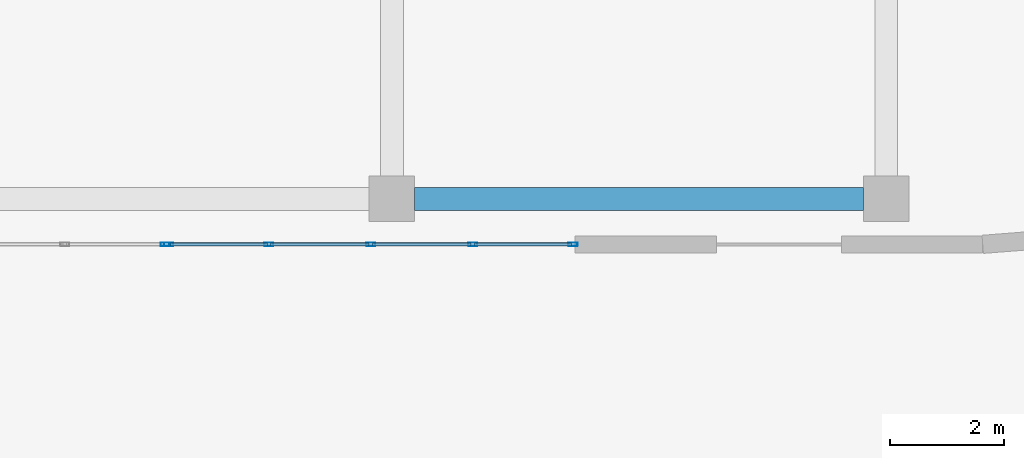
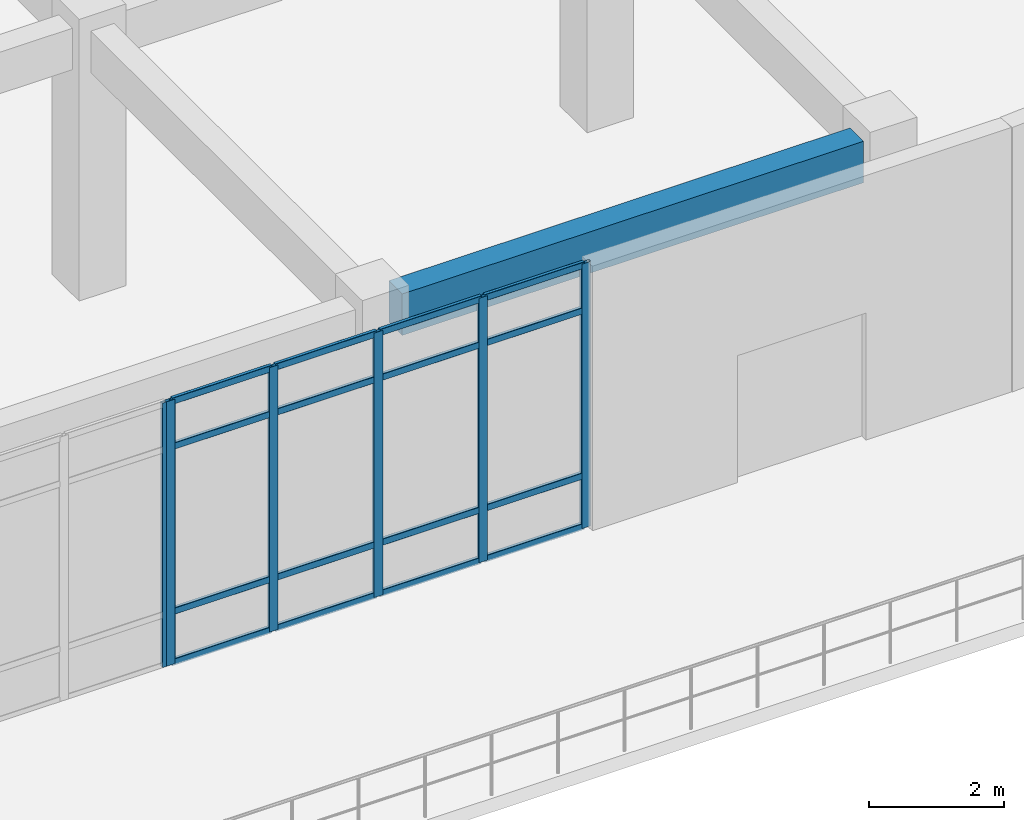
# One storey, part 16 of 96: 22 members, 1 beam, 2 elements without a shape of their own.
"""IFC4 building model written with IfcOpenShell, lengths in metres."""

from ifc_helpers import new_model, si_unit, derived_unit, direction, frame, origin, origin_2d, place, context, subcontext, project, spatial, rectangle, hollow_rectangle, extrude, material, layer, layer_set, material_profile, profile_set, type_object, element, aggregate, save


model = new_model("IFC4")

# Units and contexts
model_context = context("Model", 3, precision=1e-05, world=origin(), true_north=direction((0.0, 1.0)))
body_context = subcontext(model_context, "Body", "Model", "MODEL_VIEW")
ifc_project = project(units=[si_unit("LENGTHUNIT", "METRE"), si_unit("AREAUNIT", "SQUARE_METRE"), si_unit("VOLUMEUNIT", "CUBIC_METRE"), si_unit("PLANEANGLEUNIT", "RADIAN"), si_unit("MASSUNIT", "GRAM", prefix="KILO"), derived_unit("THERMALTRANSMITTANCEUNIT", [(si_unit("MASSUNIT", "GRAM", prefix="KILO"), 1), (si_unit("TIMEUNIT", "SECOND"), -3), (si_unit("THERMODYNAMICTEMPERATUREUNIT", "KELVIN"), -1)])], contexts=[model_context])

# Site, building, storey
site_placement = place(None, origin())
site = spatial("IfcSite", under=ifc_project, at=site_placement, CompositionType="ELEMENT")
building_placement = place(site_placement, origin())
building = spatial("IfcBuilding", under=site, at=building_placement, Name="Qinzheling Arcade Emporium", CompositionType="ELEMENT")
storey_placement = place(building_placement, frame((0.0, 0.0, 21.60009765625)))
storey = spatial("IfcBuildingStorey", under=building, at=storey_placement, Name="L05", CompositionType="ELEMENT", Elevation=21.60009765625)

# Curtain wall, members
ifc_material_1 = material(Name="Anodised aluminium and solar-control double glazing", Category="aluminium")
ifc_layer = layer(ifc_material_1, 0.159912109375, Name="Anodised aluminium and solar-control double glazing", Category="aluminium")
ifc_layer_set = layer_set([ifc_layer], Name="Anodised aluminium and solar-control double glazing")
curtain_wall_type = type_object("IfcCurtainWallType", Name="Arcade Portal Glazed Curtain Wall", PredefinedType="NOTDEFINED", material=ifc_layer_set)
curtain_wall_1_placement = place(storey_placement, origin())
curtain_wall_1 = element("IfcCurtainWall", 1, at=curtain_wall_1_placement, inside=storey, type_object=curtain_wall_type, Name="Curtain Wall CW-L05-298", PredefinedType="NOTDEFINED")
ifc_material_2 = material(Name="Anodised aluminium 6063-T6", Category="aluminium")
ifc_material_profile_1 = material_profile(ifc_material_2, hollow_rectangle(XDim=0.06005859375, YDim=0.159912109375, WallThickness=0.00390625, InnerFilletRadius=0.00390625, OuterFilletRadius=0.008056640625, at=origin_2d()), Name="RHS 160x60x4", Category="aluminium")
ifc_profile_set_1 = profile_set([ifc_material_profile_1], Name="Anodised aluminium 6063-T6")
member_type_1 = type_object("IfcMemberType", Name="Curtain Wall Mullion RHS160x60", PredefinedType="MULLION", material=ifc_profile_set_1)
member_1_placement = place(storey_placement, frame((55.387939453125, 7.60009765625, 0.0), z_axis=(0.0, 0.0, 1.0), x_axis=(0.0, -1.0, 0.0)))
member_1 = element("IfcMember", 2, at=member_1_placement, type_object=member_type_1, Name="CW05 mullion 1", PredefinedType="MULLION", context=body_context, shape_type="SweptSolid", body=[
    extrude(hollow_rectangle(XDim=0.06005859375, YDim=0.159912109375, WallThickness=0.00390625, InnerFilletRadius=0.00390625, OuterFilletRadius=0.008056640625, at=origin_2d()), origin(), (0.0, 0.0, 1.0), 4.789794921875),
])
member_2_placement = place(storey_placement, frame((53.6240234375, 7.60009765625, 0.0), z_axis=(0.0, 0.0, 1.0), x_axis=(0.0, -1.0, 0.0)))
member_2 = element("IfcMember", 3, at=member_2_placement, type_object=member_type_1, Name="CW05 mullion 2", PredefinedType="MULLION", context=body_context, shape_type="SweptSolid", body=[
    extrude(hollow_rectangle(XDim=0.06005859375, YDim=0.159912109375, WallThickness=0.00390625, InnerFilletRadius=0.00390625, OuterFilletRadius=0.008056640625, at=origin_2d()), origin(), (0.0, 0.0, 1.0), 4.789794921875),
])
member_3_placement = place(storey_placement, frame((51.830078125, 7.60009765625, 0.0), z_axis=(0.0, 0.0, 1.0), x_axis=(0.0, -1.0, 0.0)))
member_3 = element("IfcMember", 4, at=member_3_placement, type_object=member_type_1, Name="CW05 mullion 3", PredefinedType="MULLION", context=body_context, shape_type="SweptSolid", body=[
    extrude(hollow_rectangle(XDim=0.06005859375, YDim=0.159912109375, WallThickness=0.00390625, InnerFilletRadius=0.00390625, OuterFilletRadius=0.008056640625, at=origin_2d()), origin(), (0.0, 0.0, 1.0), 4.789794921875),
])
member_4_placement = place(storey_placement, frame((50.035888671875, 7.60009765625, 0.0), z_axis=(0.0, 0.0, 1.0), x_axis=(0.0, -1.0, 0.0)))
member_4 = element("IfcMember", 5, at=member_4_placement, type_object=member_type_1, Name="CW05 mullion 4", PredefinedType="MULLION", context=body_context, shape_type="SweptSolid", body=[
    extrude(hollow_rectangle(XDim=0.06005859375, YDim=0.159912109375, WallThickness=0.00390625, InnerFilletRadius=0.00390625, OuterFilletRadius=0.008056640625, at=origin_2d()), origin(), (0.0, 0.0, 1.0), 4.789794921875),
])
member_5_placement = place(storey_placement, frame((48.27197265625, 7.60009765625, 0.0), z_axis=(0.0, 0.0, 1.0), x_axis=(0.0, -1.0, 0.0)))
member_5 = element("IfcMember", 6, at=member_5_placement, type_object=member_type_1, Name="CW05 mullion 5", PredefinedType="MULLION", context=body_context, shape_type="SweptSolid", body=[
    extrude(hollow_rectangle(XDim=0.06005859375, YDim=0.159912109375, WallThickness=0.00390625, InnerFilletRadius=0.00390625, OuterFilletRadius=0.008056640625, at=origin_2d()), origin(), (0.0, 0.0, 1.0), 4.789794921875),
])

# Curtain wall, member
curtain_wall_2_placement = place(storey_placement, origin())
curtain_wall_2 = element("IfcCurtainWall", 7, at=curtain_wall_2_placement, inside=storey, type_object=curtain_wall_type, Name="Curtain Wall CW-L05-299", PredefinedType="NOTDEFINED")
member_6_placement = place(storey_placement, frame((48.2080078125, 7.60009765625, 0.0), z_axis=(0.0, 0.0, 1.0), x_axis=(0.0, -1.0, 0.0)))
member_6 = element("IfcMember", 8, at=member_6_placement, type_object=member_type_1, Name="CW05 mullion 1", PredefinedType="MULLION", context=body_context, shape_type="SweptSolid", body=[
    extrude(hollow_rectangle(XDim=0.06005859375, YDim=0.159912109375, WallThickness=0.00390625, InnerFilletRadius=0.00390625, OuterFilletRadius=0.008056640625, at=origin_2d()), origin(), (0.0, 0.0, 1.0), 4.789794921875),
])
aggregate(curtain_wall_2, [member_6])

# Member
ifc_material_profile_2 = material_profile(ifc_material_2, hollow_rectangle(XDim=0.06005859375, YDim=0.1201171875, WallThickness=0.00390625, InnerFilletRadius=0.00390625, OuterFilletRadius=0.008056640625, at=origin_2d()), Name="RHS 120x60x4", Category="aluminium")
ifc_profile_set_2 = profile_set([ifc_material_profile_2], Name="Anodised aluminium 6063-T6")
member_type_2 = type_object("IfcMemberType", Name="Curtain Wall Transom RHS120x60", PredefinedType="USERDEFINED", material=ifc_profile_set_2)
member_7_placement = place(storey_placement, frame((55.35791015625, 7.60009765625, 0.02978515625), z_axis=(-1.0, 0.0, 0.0), x_axis=(0.0, -1.0, 0.0)))
member_7 = element("IfcMember", 9, at=member_7_placement, type_object=member_type_2, Name="CW05 transom 1.1", ObjectType="TRANSOM", PredefinedType="USERDEFINED", context=body_context, shape_type="SweptSolid", body=[
    extrude(hollow_rectangle(XDim=0.06005859375, YDim=0.1201171875, WallThickness=0.00390625, InnerFilletRadius=0.00390625, OuterFilletRadius=0.008056640625, at=origin_2d()), origin(), (0.0, 0.0, 1.0), 1.703857421875),
])

member_8_placement = place(storey_placement, frame((55.35791015625, 7.60009765625, 0.949951171875), z_axis=(-1.0, 0.0, 0.0), x_axis=(0.0, -1.0, 0.0)))
member_8 = element("IfcMember", 10, at=member_8_placement, type_object=member_type_2, Name="CW05 transom 1.2", ObjectType="TRANSOM", PredefinedType="USERDEFINED", context=body_context, shape_type="SweptSolid", body=[
    extrude(hollow_rectangle(XDim=0.06005859375, YDim=0.1201171875, WallThickness=0.00390625, InnerFilletRadius=0.00390625, OuterFilletRadius=0.008056640625, at=origin_2d()), origin(), (0.0, 0.0, 1.0), 1.703857421875),
])

member_9_placement = place(storey_placement, frame((55.35791015625, 7.60009765625, 3.93994140625), z_axis=(-1.0, 0.0, 0.0), x_axis=(0.0, -1.0, 0.0)))
member_9 = element("IfcMember", 11, at=member_9_placement, type_object=member_type_2, Name="CW05 transom 1.3", ObjectType="TRANSOM", PredefinedType="USERDEFINED", context=body_context, shape_type="SweptSolid", body=[
    extrude(hollow_rectangle(XDim=0.06005859375, YDim=0.1201171875, WallThickness=0.00390625, InnerFilletRadius=0.00390625, OuterFilletRadius=0.008056640625, at=origin_2d()), origin(), (0.0, 0.0, 1.0), 1.703857421875),
])

member_10_placement = place(storey_placement, frame((55.35791015625, 7.60009765625, 4.760009765625), z_axis=(-1.0, 0.0, 0.0), x_axis=(0.0, -1.0, 0.0)))
member_10 = element("IfcMember", 12, at=member_10_placement, type_object=member_type_2, Name="CW05 transom 1.4", ObjectType="TRANSOM", PredefinedType="USERDEFINED", context=body_context, shape_type="SweptSolid", body=[
    extrude(hollow_rectangle(XDim=0.06005859375, YDim=0.1201171875, WallThickness=0.00390625, InnerFilletRadius=0.00390625, OuterFilletRadius=0.008056640625, at=origin_2d()), origin(), (0.0, 0.0, 1.0), 1.703857421875),
])

member_11_placement = place(storey_placement, frame((53.593994140625, 7.60009765625, 0.02978515625), z_axis=(-1.0, 0.0, 0.0), x_axis=(0.0, -1.0, 0.0)))
member_11 = element("IfcMember", 13, at=member_11_placement, type_object=member_type_2, Name="CW05 transom 2.1", ObjectType="TRANSOM", PredefinedType="USERDEFINED", context=body_context, shape_type="SweptSolid", body=[
    extrude(hollow_rectangle(XDim=0.06005859375, YDim=0.1201171875, WallThickness=0.00390625, InnerFilletRadius=0.00390625, OuterFilletRadius=0.008056640625, at=origin_2d()), origin(), (0.0, 0.0, 1.0), 1.73388671875),
])

member_12_placement = place(storey_placement, frame((53.593994140625, 7.60009765625, 0.949951171875), z_axis=(-1.0, 0.0, 0.0), x_axis=(0.0, -1.0, 0.0)))
member_12 = element("IfcMember", 14, at=member_12_placement, type_object=member_type_2, Name="CW05 transom 2.2", ObjectType="TRANSOM", PredefinedType="USERDEFINED", context=body_context, shape_type="SweptSolid", body=[
    extrude(hollow_rectangle(XDim=0.06005859375, YDim=0.1201171875, WallThickness=0.00390625, InnerFilletRadius=0.00390625, OuterFilletRadius=0.008056640625, at=origin_2d()), origin(), (0.0, 0.0, 1.0), 1.73388671875),
])

member_13_placement = place(storey_placement, frame((53.593994140625, 7.60009765625, 3.93994140625), z_axis=(-1.0, 0.0, 0.0), x_axis=(0.0, -1.0, 0.0)))
member_13 = element("IfcMember", 15, at=member_13_placement, type_object=member_type_2, Name="CW05 transom 2.3", ObjectType="TRANSOM", PredefinedType="USERDEFINED", context=body_context, shape_type="SweptSolid", body=[
    extrude(hollow_rectangle(XDim=0.06005859375, YDim=0.1201171875, WallThickness=0.00390625, InnerFilletRadius=0.00390625, OuterFilletRadius=0.008056640625, at=origin_2d()), origin(), (0.0, 0.0, 1.0), 1.73388671875),
])

member_14_placement = place(storey_placement, frame((53.593994140625, 7.60009765625, 4.760009765625), z_axis=(-1.0, 0.0, 0.0), x_axis=(0.0, -1.0, 0.0)))
member_14 = element("IfcMember", 16, at=member_14_placement, type_object=member_type_2, Name="CW05 transom 2.4", ObjectType="TRANSOM", PredefinedType="USERDEFINED", context=body_context, shape_type="SweptSolid", body=[
    extrude(hollow_rectangle(XDim=0.06005859375, YDim=0.1201171875, WallThickness=0.00390625, InnerFilletRadius=0.00390625, OuterFilletRadius=0.008056640625, at=origin_2d()), origin(), (0.0, 0.0, 1.0), 1.73388671875),
])

member_15_placement = place(storey_placement, frame((51.800048828125, 7.60009765625, 0.02978515625), z_axis=(-1.0, 0.0, 0.0), x_axis=(0.0, -1.0, 0.0)))
member_15 = element("IfcMember", 17, at=member_15_placement, type_object=member_type_2, Name="CW05 transom 3.1", ObjectType="TRANSOM", PredefinedType="USERDEFINED", context=body_context, shape_type="SweptSolid", body=[
    extrude(hollow_rectangle(XDim=0.06005859375, YDim=0.1201171875, WallThickness=0.00390625, InnerFilletRadius=0.00390625, OuterFilletRadius=0.008056640625, at=origin_2d()), origin(), (0.0, 0.0, 1.0), 1.734130859375),
])

member_16_placement = place(storey_placement, frame((51.800048828125, 7.60009765625, 0.949951171875), z_axis=(-1.0, 0.0, 0.0), x_axis=(0.0, -1.0, 0.0)))
member_16 = element("IfcMember", 18, at=member_16_placement, type_object=member_type_2, Name="CW05 transom 3.2", ObjectType="TRANSOM", PredefinedType="USERDEFINED", context=body_context, shape_type="SweptSolid", body=[
    extrude(hollow_rectangle(XDim=0.06005859375, YDim=0.1201171875, WallThickness=0.00390625, InnerFilletRadius=0.00390625, OuterFilletRadius=0.008056640625, at=origin_2d()), origin(), (0.0, 0.0, 1.0), 1.734130859375),
])

member_17_placement = place(storey_placement, frame((51.800048828125, 7.60009765625, 3.93994140625), z_axis=(-1.0, 0.0, 0.0), x_axis=(0.0, -1.0, 0.0)))
member_17 = element("IfcMember", 19, at=member_17_placement, type_object=member_type_2, Name="CW05 transom 3.3", ObjectType="TRANSOM", PredefinedType="USERDEFINED", context=body_context, shape_type="SweptSolid", body=[
    extrude(hollow_rectangle(XDim=0.06005859375, YDim=0.1201171875, WallThickness=0.00390625, InnerFilletRadius=0.00390625, OuterFilletRadius=0.008056640625, at=origin_2d()), origin(), (0.0, 0.0, 1.0), 1.734130859375),
])

member_18_placement = place(storey_placement, frame((51.800048828125, 7.60009765625, 4.760009765625), z_axis=(-1.0, 0.0, 0.0), x_axis=(0.0, -1.0, 0.0)))
member_18 = element("IfcMember", 20, at=member_18_placement, type_object=member_type_2, Name="CW05 transom 3.4", ObjectType="TRANSOM", PredefinedType="USERDEFINED", context=body_context, shape_type="SweptSolid", body=[
    extrude(hollow_rectangle(XDim=0.06005859375, YDim=0.1201171875, WallThickness=0.00390625, InnerFilletRadius=0.00390625, OuterFilletRadius=0.008056640625, at=origin_2d()), origin(), (0.0, 0.0, 1.0), 1.734130859375),
])

member_19_placement = place(storey_placement, frame((50.006103515625, 7.60009765625, 0.02978515625), z_axis=(-1.0, 0.0, 0.0), x_axis=(0.0, -1.0, 0.0)))
member_19 = element("IfcMember", 21, at=member_19_placement, type_object=member_type_2, Name="CW05 transom 4.1", ObjectType="TRANSOM", PredefinedType="USERDEFINED", context=body_context, shape_type="SweptSolid", body=[
    extrude(hollow_rectangle(XDim=0.06005859375, YDim=0.1201171875, WallThickness=0.00390625, InnerFilletRadius=0.00390625, OuterFilletRadius=0.008056640625, at=origin_2d()), origin(), (0.0, 0.0, 1.0), 1.7041015625),
])

member_20_placement = place(storey_placement, frame((50.006103515625, 7.60009765625, 0.949951171875), z_axis=(-1.0, 0.0, 0.0), x_axis=(0.0, -1.0, 0.0)))
member_20 = element("IfcMember", 22, at=member_20_placement, type_object=member_type_2, Name="CW05 transom 4.2", ObjectType="TRANSOM", PredefinedType="USERDEFINED", context=body_context, shape_type="SweptSolid", body=[
    extrude(hollow_rectangle(XDim=0.06005859375, YDim=0.1201171875, WallThickness=0.00390625, InnerFilletRadius=0.00390625, OuterFilletRadius=0.008056640625, at=origin_2d()), origin(), (0.0, 0.0, 1.0), 1.7041015625),
])

member_21_placement = place(storey_placement, frame((50.006103515625, 7.60009765625, 3.93994140625), z_axis=(-1.0, 0.0, 0.0), x_axis=(0.0, -1.0, 0.0)))
member_21 = element("IfcMember", 23, at=member_21_placement, type_object=member_type_2, Name="CW05 transom 4.3", ObjectType="TRANSOM", PredefinedType="USERDEFINED", context=body_context, shape_type="SweptSolid", body=[
    extrude(hollow_rectangle(XDim=0.06005859375, YDim=0.1201171875, WallThickness=0.00390625, InnerFilletRadius=0.00390625, OuterFilletRadius=0.008056640625, at=origin_2d()), origin(), (0.0, 0.0, 1.0), 1.7041015625),
])

member_22_placement = place(storey_placement, frame((50.006103515625, 7.60009765625, 4.760009765625), z_axis=(-1.0, 0.0, 0.0), x_axis=(0.0, -1.0, 0.0)))
member_22 = element("IfcMember", 24, at=member_22_placement, type_object=member_type_2, Name="CW05 transom 4.4", ObjectType="TRANSOM", PredefinedType="USERDEFINED", context=body_context, shape_type="SweptSolid", body=[
    extrude(hollow_rectangle(XDim=0.06005859375, YDim=0.1201171875, WallThickness=0.00390625, InnerFilletRadius=0.00390625, OuterFilletRadius=0.008056640625, at=origin_2d()), origin(), (0.0, 0.0, 1.0), 1.7041015625),
])

aggregate(curtain_wall_1, [member_1, member_2, member_3, member_4, member_5, member_7, member_8, member_9, member_10, member_11, member_12, member_13, member_14, member_15, member_16, member_17, member_18, member_19, member_20, member_21, member_22])

# Beam
ifc_material_3 = material(Name="Concrete C40", Category="concrete")
ifc_material_profile_3 = material_profile(ifc_material_3, rectangle(XDim=0.39990234375, YDim=0.75, at=origin_2d()), Name="RC 400x750", Category="concrete")
ifc_profile_set_3 = profile_set([ifc_material_profile_3], Name="Concrete C40")
beam_type = type_object("IfcBeamType", Name="RC Interior Tie Beam 400x750 C40", PredefinedType="BEAM", material=ifc_profile_set_3)
beam_placement = place(storey_placement, frame((52.60009765625, 8.39990234375, 4.44482421875), z_axis=(1.0, 0.0, 0.0), x_axis=(0.0, 1.0, 0.0)))
element("IfcBeam", 25, at=beam_placement, inside=storey, type_object=beam_type, Name="Beam BM-L05-X-B-7", PredefinedType="BEAM", context=body_context, shape_type="SweptSolid", body=[
    extrude(rectangle(XDim=0.39990234375, YDim=0.75, at=origin_2d()), origin(), (0.0, 0.0, 1.0), 7.89990234375),
])

save(model, "model.ifc")
